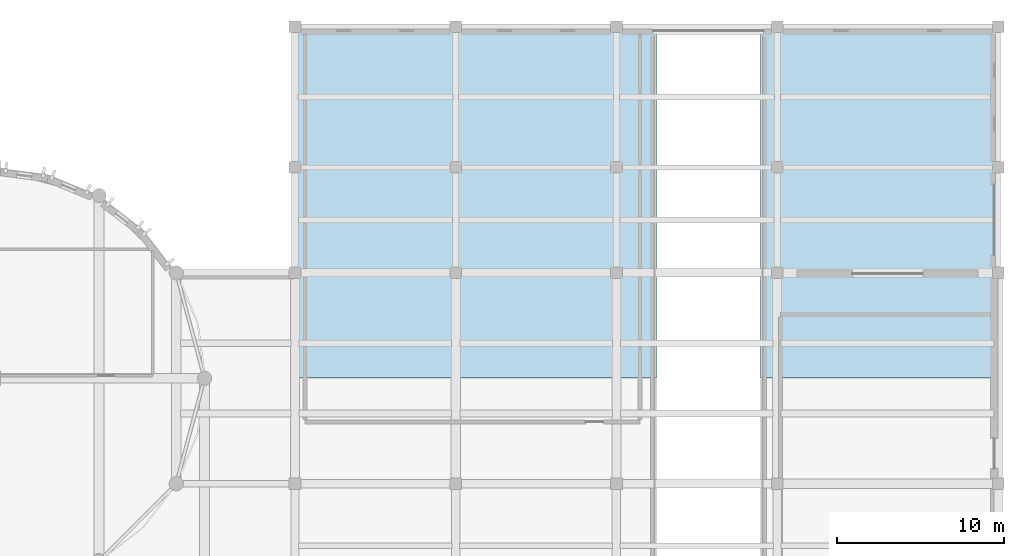
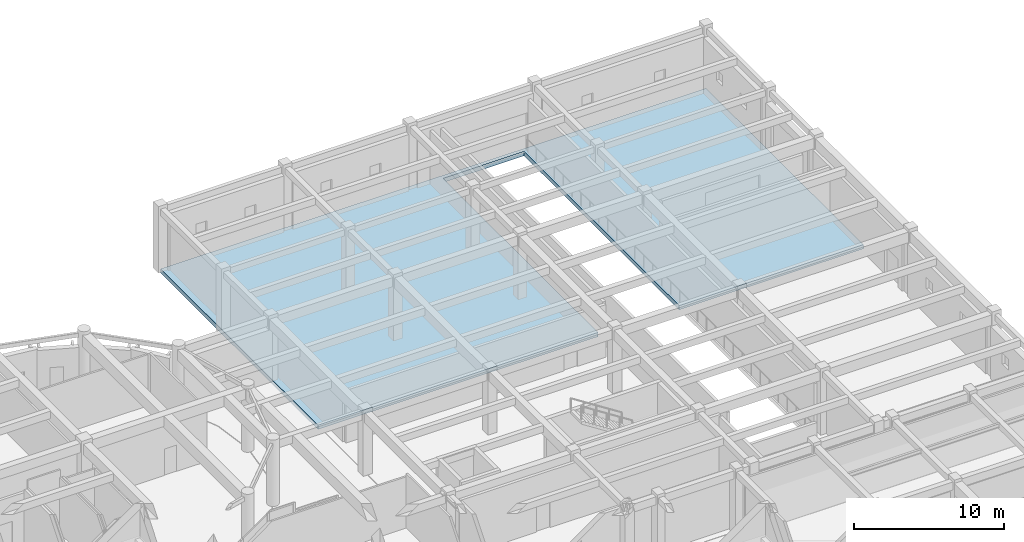
# One storey, part 65 of 98: 1 slab.
"""IFC4 building model written with IfcOpenShell, lengths in metres."""

from ifc_helpers import new_model, si_unit, direction, frame, origin, place, context, subcontext, project, spatial, polyline, outline, extrude, material, layer, layer_set, type_object, element, save


model = new_model("IFC4")

# Units and contexts
model_context = context("Model", 3, precision=1e-05, world=origin(), true_north=direction((0.0, 1.0)))
body_context = subcontext(model_context, "Body", "Model", "MODEL_VIEW")
ifc_project = project(units=[si_unit("LENGTHUNIT", "METRE"), si_unit("AREAUNIT", "SQUARE_METRE"), si_unit("VOLUMEUNIT", "CUBIC_METRE"), si_unit("PLANEANGLEUNIT", "RADIAN"), si_unit("MASSUNIT", "GRAM", prefix="KILO")], contexts=[model_context])

# Site, building, storey
site_placement = place(None, origin())
site = spatial("IfcSite", under=ifc_project, at=site_placement, CompositionType="ELEMENT")
building_placement = place(site_placement, origin())
building = spatial("IfcBuilding", under=site, at=building_placement, Name="Tarnavel Promenade Courthouse", CompositionType="ELEMENT")
storey_placement = place(building_placement, origin())
storey = spatial("IfcBuildingStorey", under=building, at=storey_placement, Name="L01", CompositionType="ELEMENT", Elevation=0.0)

# Slab
ifc_material = material(Name="Concrete C40/50", Category="concrete")
ifc_layer = layer(ifc_material, 0.340087890625)
ifc_layer_set = layer_set([ifc_layer], Name="Concrete C40/50")
slab_type = type_object("IfcSlabType", Name="Concrete C40/50 SLB-ARC-340 (340 mm)", PredefinedType="FLOOR", material=ifc_layer_set)
slab_placement = place(storey_placement, frame((0.0, 0.0, -0.340087890625)))
element("IfcSlab", 1, at=slab_placement, inside=storey, type_object=slab_type, Name="L01 Custody Suite N Security Slab", PredefinedType="FLOOR", context=body_context, shape_type="SweptSolid", body=[
    extrude(outline(polyline([(120.02001953125, 91.820068359375), (141.580078125, 91.820068359375), (141.580078125, 112.489990234375), (147.820068359375, 112.489990234375), (147.820068359375, 91.820068359375), (162.0, 91.820068359375), (162.0, 112.800048828125), (120.02001953125, 112.800048828125), (120.02001953125, 91.820068359375)])), origin(), (0.0, 0.0, 1.0), 0.340087890625),
])

save(model, "model.ifc")
